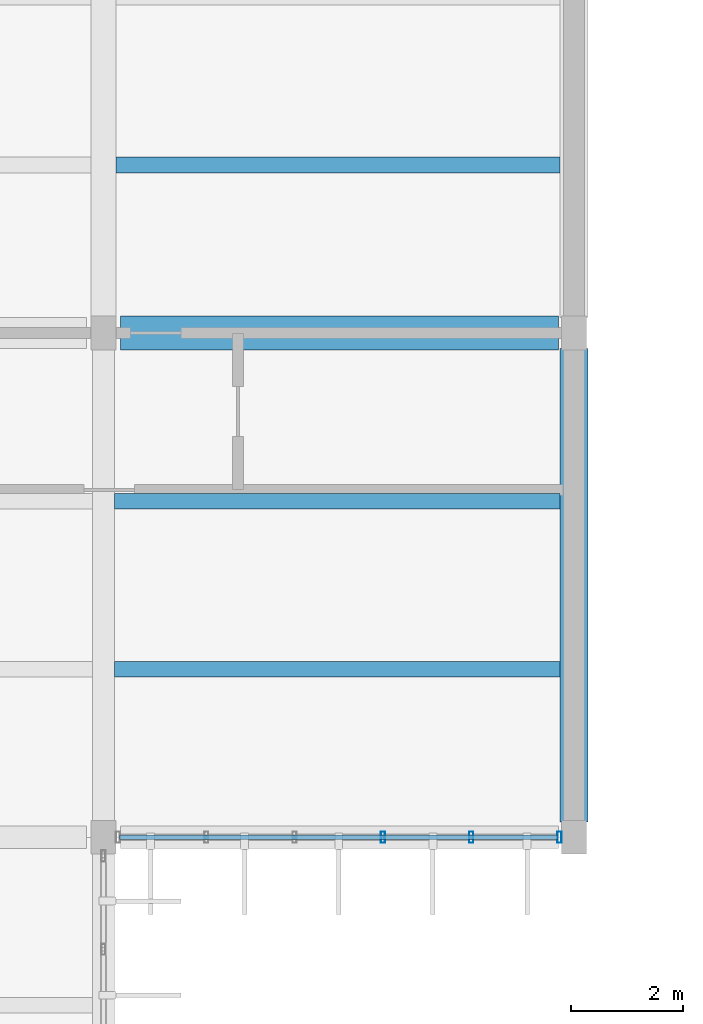
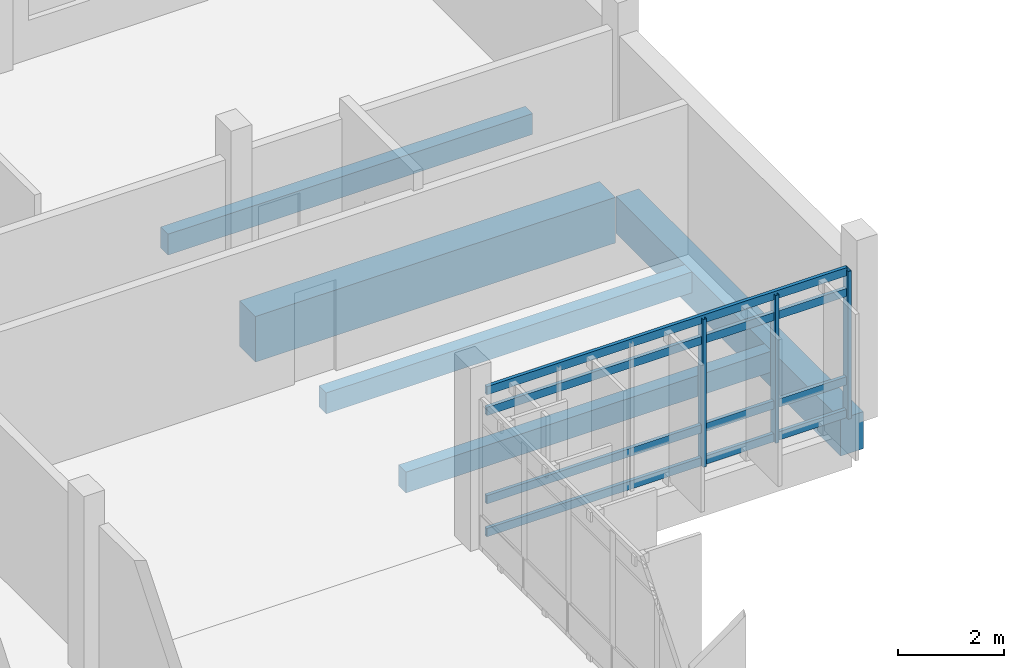
# One storey, part 56 of 107: 7 members, 5 beams, 1 element without a shape of its own.
"""IFC4 building model written with IfcOpenShell, lengths in metres."""

import ifcopenshell
import ifcopenshell.guid

model = None  # the IFC model being written
_history = None  # IfcOwnerHistory: only IFC2X3 demands one
_inside = {}  # id of a spatial element -> (the spatial element, [elements in it])
_under = {}  # id of a project, library or spatial element -> (it, [spatial elements below it])
_declared = {}  # id of a project -> (the project, [libraries it declares])
_typed = {}  # id of a type object -> (the type object, [elements of that type])
_made_of = {}  # id of a material, layer set ... -> (it, [elements and type objects made of it])


def new_model(schema):
    """Start an empty IFC model of exactly this schema.

    Asked for "IFC4X3", IfcOpenShell would pick the latest addendum, in which some entities
    have other attributes; the version numbers below select the first issue.
    IFC2X3 requires an IfcOwnerHistory on every rooted entity: one is made here for all.
    """
    global model, _history
    if schema == "IFC4X3":
        model = ifcopenshell.file(schema_version=(4, 3, 0, 0))
    else:
        model = ifcopenshell.file(schema=schema)
    _inside.clear()
    _under.clear()
    _declared.clear()
    _typed.clear()
    _made_of.clear()
    _history = None
    if model.schema == "IFC2X3":
        org = make("IfcOrganization", Name="unknown")
        user = make(
            "IfcPersonAndOrganization",
            ThePerson=make("IfcPerson", FamilyName="unknown"),
            TheOrganization=org,
        )
        app = make(
            "IfcApplication",
            ApplicationDeveloper=org,
            Version="unknown",
            ApplicationFullName="unknown",
            ApplicationIdentifier="unknown",
        )
        _history = make(
            "IfcOwnerHistory",
            OwningUser=user,
            OwningApplication=app,
            ChangeAction="ADDED",
            CreationDate=0,
        )
    return model


def make(cls, **values):
    """One entity of the class cls with the attributes given. An attribute that is None is left unset."""
    return model.create_entity(
        cls, **{name: value for name, value in values.items() if value is not None}
    )


def rooted(cls, **values):
    """An entity with a GlobalId (a new one), such as an element, a storey or a relation."""
    return make(cls, GlobalId=ifcopenshell.guid.new(), OwnerHistory=_history, **values)


def si_unit(unit_type, name, prefix=None):
    """IfcSIUnit, for example si_unit("LENGTHUNIT", "METRE", prefix="MILLI")."""
    return make("IfcSIUnit", UnitType=unit_type, Prefix=prefix, Name=name)


def assignment(units):
    """IfcUnitAssignment: the units of a project."""
    return None if units is None else make("IfcUnitAssignment", Units=units)


def point(xyz):
    """IfcCartesianPoint."""
    return None if xyz is None else make("IfcCartesianPoint", Coordinates=xyz)


def direction(xyz):
    """IfcDirection."""
    return None if xyz is None else make("IfcDirection", DirectionRatios=xyz)


def frame(location, z_axis=None, x_axis=None):
    """IfcAxis2Placement3D, a coordinate frame: its origin and axes. An axis left out is left unset."""
    return make(
        "IfcAxis2Placement3D",
        Location=point(location),
        Axis=direction(z_axis),
        RefDirection=direction(x_axis),
    )


def frame_2d(location, x_axis=None):
    """IfcAxis2Placement2D, a coordinate frame in the plane: its origin and x axis."""
    return make(
        "IfcAxis2Placement2D", Location=point(location), RefDirection=direction(x_axis)
    )


def origin():
    """The frame at (0, 0, 0) with its axes left unset."""
    return frame((0.0, 0.0, 0.0))


def origin_2d():
    """The frame at (0, 0) in the plane with its x axis left unset."""
    return frame_2d((0.0, 0.0))


def place(relative_to, where):
    """IfcLocalPlacement: puts the frame where relative to a parent placement (None: the world)."""
    return make(
        "IfcLocalPlacement", PlacementRelTo=relative_to, RelativePlacement=where
    )


def context(
    kind, dimensions, precision=None, world=None, true_north=None, identifier=None
):
    """IfcGeometricRepresentationContext, for example the 3D "Model" context."""
    return make(
        "IfcGeometricRepresentationContext",
        ContextIdentifier=identifier,
        ContextType=kind,
        CoordinateSpaceDimension=dimensions,
        Precision=precision,
        WorldCoordinateSystem=world,
        TrueNorth=true_north,
    )


def subcontext(parent, identifier, kind, view, scale=None):
    """IfcGeometricRepresentationSubContext, for example "Body" below "Model"."""
    return make(
        "IfcGeometricRepresentationSubContext",
        ContextIdentifier=identifier,
        ContextType=kind,
        ParentContext=parent,
        TargetScale=scale,
        TargetView=view,
    )


def project(units=None, contexts=None):
    """IfcProject with its units and contexts."""
    return rooted(
        "IfcProject",
        Name="project",
        RepresentationContexts=contexts,
        UnitsInContext=assignment(units),
    )


def spatial(cls, under=None, at=None, **own):
    """A site, building, storey or space (cls), placed at a placement, below another one or the project."""
    s = rooted(cls, ObjectPlacement=at, **own)
    if under is not None:
        _under.setdefault(under.id(), (under, []))[1].append(s)
    return s


def profile(cls, at=None, kind="AREA", **sizes):
    """A parametric profile (cls). Its sizes go by their IFC names, for example OverallWidth=200.0."""
    return make(cls, ProfileType=kind, Position=at, **sizes)


def rectangle(**sizes):
    """IfcRectangleProfileDef."""
    return profile("IfcRectangleProfileDef", **sizes)


def hollow_rectangle(**sizes):
    """IfcRectangleHollowProfileDef."""
    return profile("IfcRectangleHollowProfileDef", **sizes)


def extrude(swept, where, along, depth):
    """IfcExtrudedAreaSolid: the profile swept, set in the frame where, extruded along a direction by depth."""
    return make(
        "IfcExtrudedAreaSolid",
        SweptArea=swept,
        Position=where,
        ExtrudedDirection=direction(along),
        Depth=depth,
    )


def shape(context_of_items, identifier, shape_type, items):
    """IfcShapeRepresentation: the items that make up one representation, for example the "Body"."""
    return make(
        "IfcShapeRepresentation",
        ContextOfItems=context_of_items,
        RepresentationIdentifier=identifier,
        RepresentationType=shape_type,
        Items=items,
    )


def material(Name=None, Category=None):
    """IfcMaterial."""
    return make("IfcMaterial", Name=Name, Category=Category)


def layer(
    of_material, thickness, ventilated=None, Name=None, Category=None, Priority=None
):
    """IfcMaterialLayer: one layer of a wall or slab, of a material (None: an air gap)."""
    return make(
        "IfcMaterialLayer",
        Material=of_material,
        LayerThickness=thickness,
        IsVentilated=ventilated,
        Name=Name,
        Category=Category,
        Priority=Priority,
    )


def layer_set(layers, Name=None):
    """IfcMaterialLayerSet."""
    return make("IfcMaterialLayerSet", MaterialLayers=layers, LayerSetName=Name)


def material_profile(
    of_material, cross_section, Name=None, Category=None, Priority=None
):
    """IfcMaterialProfile: a cross section and its material."""
    return make(
        "IfcMaterialProfile",
        Name=Name,
        Material=of_material,
        Profile=cross_section,
        Priority=Priority,
        Category=Category,
    )


def profile_set(profiles, Name=None, composite=None):
    """IfcMaterialProfileSet."""
    return make(
        "IfcMaterialProfileSet",
        Name=Name,
        MaterialProfiles=profiles,
        CompositeProfile=composite,
    )


def made_of(thing, what):
    """Note that an element or type object is made of a material, layer set ...; save() writes the relation."""
    if what is not None:
        _made_of.setdefault(what.id(), (what, []))[1].append(thing)
    return thing


def type_object(cls, material=None, **own):
    """A type object (cls), such as IfcWallType, which elements share."""
    return made_of(rooted(cls, **own), material)


def element(
    cls,
    number,
    at=None,
    inside=None,
    cuts=None,
    type_object=None,
    material=None,
    context=None,
    identifier="Body",
    shape_type=None,
    held_by="IfcProductDefinitionShape",
    body=None,
    shapes=None,
    **own,
):
    """One element of the class cls, such as IfcWall. Its Tag is "e" and its number.

    at: its placement. inside: the storey or other place that contains it. cuts: it is an
    opening in that element (IfcRelVoidsElement). A single representation is given by context,
    identifier, shape_type and body (its items); several are given by shapes. held_by: the class
    of the entity that holds the representations. save() writes the other relations.
    """
    e = rooted(cls, Tag="e%d" % number, ObjectPlacement=at, **own)
    if body is not None:
        shapes = [shape(context, identifier, shape_type, body)]
    if shapes is not None:
        e.Representation = make(held_by, Representations=shapes)
    if inside is not None:
        _inside.setdefault(inside.id(), (inside, []))[1].append(e)
    if cuts is not None:
        rooted(
            "IfcRelVoidsElement", RelatingBuildingElement=cuts, RelatedOpeningElement=e
        )
    if type_object is not None:
        _typed.setdefault(type_object.id(), (type_object, []))[1].append(e)
    return made_of(e, material)


def aggregate(whole, parts):
    """IfcRelAggregates: a whole, such as a stair, and the parts it consists of."""
    return rooted("IfcRelAggregates", RelatingObject=whole, RelatedObjects=parts)


def save(model, path):
    """Write the relations noted so far, then the file.

    IfcRelAggregates (storeys below a building ...), IfcRelContainedInSpatialStructure (elements
    in a storey), IfcRelDefinesByType, IfcRelAssociatesMaterial and IfcRelDeclares: one each for
    every whole, place, type object, material and project.
    """
    for whole, parts in _under.values():
        aggregate(whole, parts)
    for where, things in _inside.values():
        rooted(
            "IfcRelContainedInSpatialStructure",
            RelatedElements=things,
            RelatingStructure=where,
        )
    for kind, things in _typed.values():
        rooted("IfcRelDefinesByType", RelatedObjects=things, RelatingType=kind)
    for what, things in _made_of.values():
        rooted("IfcRelAssociatesMaterial", RelatedObjects=things, RelatingMaterial=what)
    for by, libraries in _declared.values():
        rooted("IfcRelDeclares", RelatingContext=by, RelatedDefinitions=libraries)
    model.write(path)


model = new_model("IFC4")

# Units and contexts
model_context = context("Model", 3, precision=1e-05, world=origin(), true_north=direction((0.0, 1.0)))
body_context = subcontext(model_context, "Body", "Model", "MODEL_VIEW")
ifc_project = project(units=[si_unit("LENGTHUNIT", "METRE"), si_unit("AREAUNIT", "SQUARE_METRE"), si_unit("VOLUMEUNIT", "CUBIC_METRE"), si_unit("PLANEANGLEUNIT", "RADIAN"), si_unit("MASSUNIT", "GRAM", prefix="KILO")], contexts=[model_context])

# Site, building, storey
site_placement = place(None, origin())
site = spatial("IfcSite", under=ifc_project, at=site_placement, CompositionType="ELEMENT")
building_placement = place(site_placement, origin())
building = spatial("IfcBuilding", under=site, at=building_placement, Name="Vireocrest Preparatory School", CompositionType="ELEMENT")
storey_placement = place(building_placement, frame((0.0, 0.0, 13.199951171875)))
storey = spatial("IfcBuildingStorey", under=building, at=storey_placement, Name="L03", CompositionType="ELEMENT", Elevation=13.199951171875)

# Curtain wall, members
ifc_material_1 = material(Name="Thermally broken aluminium EN AW-6063-T6", Category="aluminium")
ifc_layer = layer(ifc_material_1, 0.179931640625)
ifc_layer_set = layer_set([ifc_layer], Name="Thermally broken aluminium EN AW-6063-T6")
curtain_wall_type = type_object("IfcCurtainWallType", Name="Stair Core Daylit Strip 4200x4200", PredefinedType="USERDEFINED", material=ifc_layer_set)
curtain_wall_placement = place(storey_placement, origin())
curtain_wall = element("IfcCurtainWall", 1, at=curtain_wall_placement, inside=storey, type_object=curtain_wall_type, Name="Curtain Wall CW18 CW_L03_CW18_1094_0948_132", ObjectType="CURTAIN WALL", PredefinedType="USERDEFINED")
ifc_material_profile_1 = material_profile(ifc_material_1, hollow_rectangle(XDim=0.074951171875, YDim=0.199951171875, WallThickness=0.0048828125, at=origin_2d()), Name="ALU 75x200x5")
ifc_profile_set_1 = profile_set([ifc_material_profile_1], Name="Thermally broken aluminium EN AW-6063-T6")
member_type_1 = type_object("IfcMemberType", Name="CW Mullion 75x200x5", PredefinedType="MULLION", material=ifc_profile_set_1)
member_1_placement = place(storey_placement, frame((114.18798828125, 94.800048828125, 0.0), z_axis=(0.0, 0.0, 1.0), x_axis=(1.0, 0.0, 0.0)))
member_1 = element("IfcMember", 2, at=member_1_placement, type_object=member_type_1, Name="CW Mullion ML3 CW_L03_CW18_1094_0948_132-4", PredefinedType="MULLION", context=body_context, shape_type="SweptSolid", body=[
    extrude(hollow_rectangle(XDim=0.074951171875, YDim=0.199951171875, WallThickness=0.0048828125, at=origin_2d()), origin(), (0.0, 0.0, 1.0), 3.39501953125),
])
member_2_placement = place(storey_placement, frame((115.763916015625, 94.800048828125, 0.0), z_axis=(0.0, 0.0, 1.0), x_axis=(1.0, 0.0, 0.0)))
member_2 = element("IfcMember", 3, at=member_2_placement, type_object=member_type_1, Name="CW Mullion ML3 CW_L03_CW18_1094_0948_132-5", PredefinedType="MULLION", context=body_context, shape_type="SweptSolid", body=[
    extrude(hollow_rectangle(XDim=0.074951171875, YDim=0.199951171875, WallThickness=0.0048828125, at=origin_2d()), origin(), (0.0, 0.0, 1.0), 3.39501953125),
])
member_3_placement = place(storey_placement, frame((117.340087890625, 94.800048828125, 0.0), z_axis=(0.0, 0.0, 1.0), x_axis=(1.0, 0.0, 0.0)))
member_3 = element("IfcMember", 4, at=member_3_placement, type_object=member_type_1, Name="CW Mullion ML3 CW_L03_CW18_1094_0948_132-6", PredefinedType="MULLION", context=body_context, shape_type="SweptSolid", body=[
    extrude(hollow_rectangle(XDim=0.074951171875, YDim=0.199951171875, WallThickness=0.0048828125, at=origin_2d()), origin(), (0.0, 0.0, 1.0), 3.39501953125),
])
ifc_material_profile_2 = material_profile(ifc_material_1, hollow_rectangle(XDim=0.074951171875, YDim=0.18994140625, WallThickness=0.00390625, at=origin_2d()), Name="ALU 75x190x4")
ifc_profile_set_2 = profile_set([ifc_material_profile_2], Name="Thermally broken aluminium EN AW-6063-T6")
member_type_2 = type_object("IfcMemberType", Name="CW Transom 75x190x4", PredefinedType="USERDEFINED", material=ifc_profile_set_2)
member_4_placement = place(storey_placement, frame((109.485107421875, 94.800048828125, 0.094970703125), z_axis=(1.0, 0.0, 0.0), x_axis=(0.0, 1.0, 0.0)))
member_4 = element("IfcMember", 5, at=member_4_placement, type_object=member_type_2, Name="CW Transom TR3 CW_L03_CW18_1094_0948_132-1", ObjectType="TRANSOM", PredefinedType="USERDEFINED", context=body_context, shape_type="SweptSolid", body=[
    extrude(hollow_rectangle(XDim=0.074951171875, YDim=0.18994140625, WallThickness=0.00390625, at=origin_2d()), origin(), (0.0, 0.0, 1.0), 7.829833984375),
])
member_5_placement = place(storey_placement, frame((109.485107421875, 94.800048828125, 0.85009765625), z_axis=(1.0, 0.0, 0.0), x_axis=(0.0, 1.0, 0.0)))
member_5 = element("IfcMember", 6, at=member_5_placement, type_object=member_type_2, Name="CW Transom TR3 CW_L03_CW18_1094_0948_132-2", ObjectType="TRANSOM", PredefinedType="USERDEFINED", context=body_context, shape_type="SweptSolid", body=[
    extrude(hollow_rectangle(XDim=0.074951171875, YDim=0.18994140625, WallThickness=0.00390625, at=origin_2d()), origin(), (0.0, 0.0, 1.0), 7.829833984375),
])
member_6_placement = place(storey_placement, frame((109.485107421875, 94.800048828125, 2.880126953125), z_axis=(1.0, 0.0, 0.0), x_axis=(0.0, 1.0, 0.0)))
member_6 = element("IfcMember", 7, at=member_6_placement, type_object=member_type_2, Name="CW Transom TR3 CW_L03_CW18_1094_0948_132-3", ObjectType="TRANSOM", PredefinedType="USERDEFINED", context=body_context, shape_type="SweptSolid", body=[
    extrude(hollow_rectangle(XDim=0.074951171875, YDim=0.18994140625, WallThickness=0.00390625, at=origin_2d()), origin(), (0.0, 0.0, 1.0), 7.829833984375),
])
member_7_placement = place(storey_placement, frame((109.485107421875, 94.800048828125, 3.35498046875), z_axis=(1.0, 0.0, 0.0), x_axis=(0.0, 1.0, 0.0)))
member_7 = element("IfcMember", 8, at=member_7_placement, type_object=member_type_2, Name="CW Transom TR3 CW_L03_CW18_1094_0948_132-4", ObjectType="TRANSOM", PredefinedType="USERDEFINED", context=body_context, shape_type="SweptSolid", body=[
    extrude(hollow_rectangle(XDim=0.074951171875, YDim=0.18994140625, WallThickness=0.00390625, at=origin_2d()), origin(), (0.0, 0.0, 1.0), 7.829833984375),
])
aggregate(curtain_wall, [member_1, member_2, member_3, member_4, member_5, member_6, member_7])

# Beams
ifc_material_2 = material(Name="Concrete 40 MPa", Category="concrete")
ifc_material_profile_3 = material_profile(ifc_material_2, rectangle(XDim=0.5, YDim=0.85009765625, at=origin_2d()), Name="RC 500x850")
ifc_profile_set_3 = profile_set([ifc_material_profile_3], Name="Concrete 40 MPa")
beam_type_1 = type_object("IfcBeamType", Name="RC Podium Girder 500x850", PredefinedType="BEAM", material=ifc_profile_set_3)
beam_1_placement = place(storey_placement, frame((117.60009765625, 95.074951171875, -0.6650390625), z_axis=(0.0, 1.0, 0.0), x_axis=(-1.0, 0.0, 0.0)))
element("IfcBeam", 9, at=beam_1_placement, inside=storey, type_object=beam_type_1, Name="Primary Girder B14 L03-1177", PredefinedType="BEAM", context=body_context, shape_type="SweptSolid", body=[
    extrude(rectangle(XDim=0.5, YDim=0.85009765625, at=origin_2d()), origin(), (0.0, 0.0, 1.0), 8.449951171875),
])
ifc_material_profile_4 = material_profile(ifc_material_2, rectangle(XDim=0.280029296875, YDim=0.47998046875, at=origin_2d()), Name="RC 280x480")
ifc_profile_set_4 = profile_set([ifc_material_profile_4], Name="Concrete 40 MPa")
beam_type_2 = type_object("IfcBeamType", Name="RC Secondary Lab Joist 280x480", PredefinedType="JOIST", material=ifc_profile_set_4)
for number, where, z_axis, x_axis, name in (
    (10, (109.39990234375, 97.800048828125, -0.47998046875), (1.0, 0.0, 0.0), (0.0, 1.0, 0.0), "Secondary Joist J02 L03-1281"),
    (11, (109.39990234375, 100.800048828125, -0.47998046875), (1.0, 0.0, 0.0), (0.0, 1.0, 0.0), "Secondary Joist J02 L03-1282"),
):
    element("IfcBeam", number, at=place(storey_placement, frame(where, z_axis=z_axis, x_axis=x_axis)), inside=storey, type_object=beam_type_2, Name=name, PredefinedType="JOIST", context=body_context, shape_type="SweptSolid", body=[
        extrude(rectangle(XDim=0.280029296875, YDim=0.47998046875, at=origin_2d()), origin(), (0.0, 0.0, 1.0), 7.9501953125),
    ])
beam_2_placement = place(storey_placement, frame((109.425048828125, 106.800048828125, -0.47998046875), z_axis=(1.0, 0.0, 0.0), x_axis=(0.0, 1.0, 0.0)))
element("IfcBeam", 12, at=beam_2_placement, inside=storey, type_object=beam_type_2, Name="Secondary Joist J02 L03-1283", PredefinedType="JOIST", context=body_context, shape_type="SweptSolid", body=[
    extrude(rectangle(XDim=0.280029296875, YDim=0.47998046875, at=origin_2d()), origin(), (0.0, 0.0, 1.0), 7.925048828125),
])
ifc_material_profile_5 = material_profile(ifc_material_2, rectangle(XDim=0.60009765625, YDim=1.050048828125, at=origin_2d()), Name="RC 600x1050")
ifc_profile_set_5 = profile_set([ifc_material_profile_5], Name="Concrete 40 MPa")
beam_type_3 = type_object("IfcBeamType", Name="RC Transfer Girder 600x1050", PredefinedType="BEAM", material=ifc_profile_set_5)
beam_3_placement = place(storey_placement, frame((109.5, 103.800048828125, -0.764892578125), z_axis=(1.0, 0.0, 0.0), x_axis=(0.0, 1.0, 0.0)))
element("IfcBeam", 13, at=beam_3_placement, inside=storey, type_object=beam_type_3, Name="Primary Girder B19 L03-1097", PredefinedType="BEAM", context=body_context, shape_type="SweptSolid", body=[
    extrude(rectangle(XDim=0.60009765625, YDim=1.050048828125, at=origin_2d()), origin(), (0.0, 0.0, 1.0), 7.824951171875),
])

save(model, "model.ifc")
